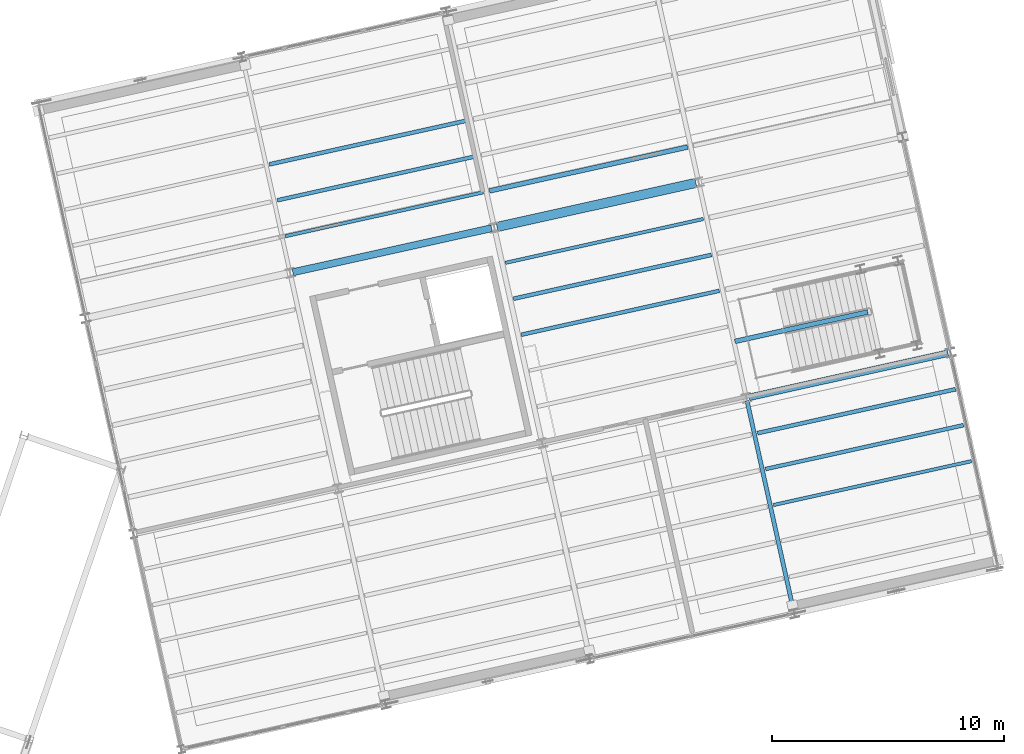
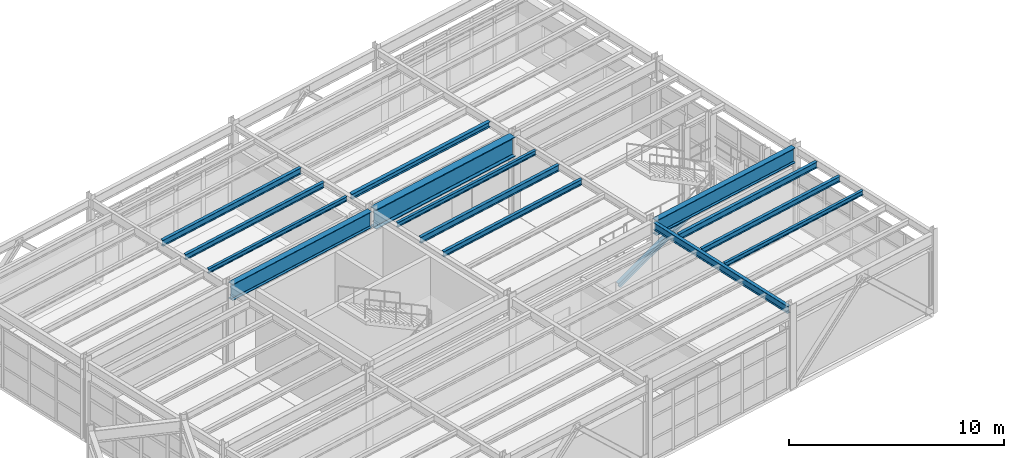
# One storey, part 60 of 109: 14 beams, 1 member.
"""IFC4 building model written with IfcOpenShell, lengths in metres."""

from ifc_helpers import new_model, si_unit, direction, frame, origin, origin_2d, place, context, subcontext, project, spatial, i_section, extrude, material, material_profile, profile_set, type_object, element, save


model = new_model("IFC4")

# Units and contexts
model_context = context("Model", 3, precision=1e-05, world=origin(), true_north=direction((0.0, 1.0)))
body_context = subcontext(model_context, "Body", "Model", "MODEL_VIEW")
ifc_project = project(units=[si_unit("LENGTHUNIT", "METRE"), si_unit("AREAUNIT", "SQUARE_METRE"), si_unit("VOLUMEUNIT", "CUBIC_METRE"), si_unit("PLANEANGLEUNIT", "RADIAN"), si_unit("MASSUNIT", "GRAM", prefix="KILO")], contexts=[model_context])

# Site, building, storey
site_placement = place(None, origin())
site = spatial("IfcSite", under=ifc_project, at=site_placement, CompositionType="ELEMENT")
building_placement = place(site_placement, origin())
building = spatial("IfcBuilding", under=site, at=building_placement, Name="Vireo Bluff Cable Station", CompositionType="ELEMENT")
storey_placement = place(building_placement, frame((0.0, 0.0, 4.800048828125)))
storey = spatial("IfcBuildingStorey", under=building, at=storey_placement, Name="L01", CompositionType="ELEMENT", Elevation=4.800048828125)

# Beams
ifc_material = material(Name="Steel ASTM A992 Gr. 50", Category="steel")
ifc_material_profile_1 = material_profile(ifc_material, i_section(OverallWidth=0.178955078125, OverallDepth=0.408935546875, WebThickness=0.0087890625, FlangeThickness=0.014404296875, FilletRadius=0.010009765625, at=origin_2d()), Name="W16X45")
ifc_profile_set_1 = profile_set([ifc_material_profile_1], Name="Steel ASTM A992 Gr. 50")
beam_type_1 = type_object("IfcBeamType", Name="BM-W16X45", PredefinedType="BEAM", material=ifc_profile_set_1)
beam_1_placement = place(storey_placement, frame((152.333984375, 79.9609375, 4.33544921875), z_axis=(-0.216430734067, 0.976297975698, 0.0), x_axis=(-0.976297975698, -0.216430734067, 0.0)))
element("IfcBeam", 1, at=beam_1_placement, inside=storey, type_object=beam_type_1, Name="V2 L01 beam 465", PredefinedType="BEAM", context=body_context, shape_type="SweptSolid", body=[
    extrude(i_section(OverallWidth=0.178955078125, OverallDepth=0.408935546875, WebThickness=0.0087890625, FlangeThickness=0.014404296875, FilletRadius=0.010009765625, at=origin_2d()), origin(), (0.0, 0.0, 1.0), 9.260009765625),
])
ifc_material_profile_2 = material_profile(ifc_material, i_section(OverallWidth=0.2919921875, OverallDepth=0.85888671875, WebThickness=0.01708984375, FlangeThickness=0.031005859375, FilletRadius=0.01806640625, at=origin_2d()), Name="W33X169")
ifc_profile_set_2 = profile_set([ifc_material_profile_2], Name="Steel ASTM A992 Gr. 50")
beam_type_2 = type_object("IfcBeamType", Name="GIR-W33X169", PredefinedType="USERDEFINED", material=ifc_profile_set_2)
beam_2_placement = place(storey_placement, frame((150.4208984375, 89.144775390625, 4.1103515625), z_axis=(0.97629710087, 0.216434680293, 0.0), x_axis=(-0.216434680293, 0.97629710087, 0.0)))
element("IfcBeam", 2, at=beam_2_placement, inside=storey, type_object=beam_type_2, Name="V2 L01 girder 447", ObjectType="GIRDER", PredefinedType="USERDEFINED", context=body_context, shape_type="SweptSolid", body=[
    extrude(i_section(OverallWidth=0.2919921875, OverallDepth=0.85888671875, WebThickness=0.01708984375, FlangeThickness=0.031005859375, FilletRadius=0.01806640625, at=origin_2d()), origin(), (0.0, 0.0, 1.0), 8.760009765625),
])
ifc_material_profile_3 = material_profile(ifc_material, i_section(OverallWidth=0.306884765625, OverallDepth=0.927001953125, WebThickness=0.019287109375, FlangeThickness=0.031982421875, FilletRadius=0.02001953125, at=origin_2d()), Name="W36X194")
ifc_profile_set_3 = profile_set([ifc_material_profile_3], Name="Steel ASTM A992 Gr. 50")
beam_type_3 = type_object("IfcBeamType", Name="GIR-W36X194", PredefinedType="USERDEFINED", material=ifc_profile_set_3)
beam_3_placement = place(storey_placement, frame((130.79150390625, 94.5234375, 4.076416015625), z_axis=(0.976289905703, 0.216467133817, 0.0), x_axis=(-0.216467133817, 0.976289905703, 0.0)))
element("IfcBeam", 3, at=beam_3_placement, inside=storey, type_object=beam_type_3, Name="V2 L01 girder 449", ObjectType="GIRDER", PredefinedType="USERDEFINED", context=body_context, shape_type="SweptSolid", body=[
    extrude(i_section(OverallWidth=0.306884765625, OverallDepth=0.927001953125, WebThickness=0.019287109375, FlangeThickness=0.031982421875, FilletRadius=0.02001953125, at=origin_2d()), origin(), (0.0, 0.0, 1.0), 8.760009765625),
])
ifc_material_profile_4 = material_profile(ifc_material, i_section(OverallWidth=0.404052734375, OverallDepth=1.117919921875, WebThickness=0.026123046875, FlangeThickness=0.044921875, FilletRadius=0.02197265625, at=origin_2d()), Name="W44X335")
ifc_profile_set_4 = profile_set([ifc_material_profile_4], Name="Steel ASTM A992 Gr. 50")
beam_type_4 = type_object("IfcBeamType", Name="GIR-W44X335", PredefinedType="USERDEFINED", material=ifc_profile_set_4)
beam_4_placement = place(storey_placement, frame((139.578125, 96.471435546875, 3.98095703125), z_axis=(0.976295795297, 0.216440569406, 0.0), x_axis=(-0.216440569406, 0.976295795297, 0.0)))
element("IfcBeam", 4, at=beam_4_placement, inside=storey, type_object=beam_type_4, Name="V2 L01 girder 450", ObjectType="GIRDER", PredefinedType="USERDEFINED", context=body_context, shape_type="SweptSolid", body=[
    extrude(i_section(OverallWidth=0.404052734375, OverallDepth=1.117919921875, WebThickness=0.026123046875, FlangeThickness=0.044921875, FilletRadius=0.02197265625, at=origin_2d()), origin(), (0.0, 0.0, 1.0), 8.760009765625),
])
ifc_material_profile_5 = material_profile(ifc_material, i_section(OverallWidth=0.14599609375, OverallDepth=0.259033203125, WebThickness=0.006103515625, FlangeThickness=0.009033203125, FilletRadius=0.009033203125, at=origin_2d()), Name="W10X22")
ifc_profile_set_5 = profile_set([ifc_material_profile_5], Name="Steel ASTM A992 Gr. 50")
beam_type_5 = type_object("IfcBeamType", Name="JST-W10X22", PredefinedType="JOIST", material=ifc_profile_set_5)
for number, where, z_axis, x_axis, name in (
    (5, (130.46826171875, 96.07373046875, 4.410400390625), (0.976300234484, 0.216420544652, 0.0), (-0.216420544652, 0.976300234484, 0.0), "V2 L01 composite joist 491"),
    (6, (139.9404296875, 94.929931640625, 4.410400390625), (0.976293006815, 0.216453146994, 0.0), (-0.216453146994, 0.976293006815, 0.0), "V2 L01 composite joist 505"),
):
    element("IfcBeam", number, at=place(storey_placement, frame(where, z_axis=z_axis, x_axis=x_axis)), inside=storey, type_object=beam_type_5, Name=name, PredefinedType="JOIST", context=body_context, shape_type="SweptSolid", body=[
        extrude(i_section(OverallWidth=0.14599609375, OverallDepth=0.259033203125, WebThickness=0.006103515625, FlangeThickness=0.009033203125, FilletRadius=0.009033203125, at=origin_2d()), origin(), (0.0, 0.0, 1.0), 8.719970703125),
    ])
beam_5_placement = place(storey_placement, frame((151.468505859375, 84.511474609375, 4.410400390625), z_axis=(0.976294318526, 0.216447230551, 0.0), x_axis=(-0.216447230551, 0.976294318526, 0.0)))
element("IfcBeam", 7, at=beam_5_placement, inside=storey, type_object=beam_type_5, Name="V2 L01 composite joist 513", PredefinedType="JOIST", context=body_context, shape_type="SweptSolid", body=[
    extrude(i_section(OverallWidth=0.14599609375, OverallDepth=0.259033203125, WebThickness=0.006103515625, FlangeThickness=0.009033203125, FilletRadius=0.009033203125, at=origin_2d()), origin(), (0.0, 0.0, 1.0), 8.72021484375),
])
ifc_material_profile_6 = material_profile(ifc_material, i_section(OverallWidth=0.1650390625, OverallDepth=0.31005859375, WebThickness=0.005859375, FlangeThickness=0.009765625, FilletRadius=0.010009765625, at=origin_2d()), Name="W12X26")
ifc_profile_set_6 = profile_set([ifc_material_profile_6], Name="Steel ASTM A992 Gr. 50")
beam_type_6 = type_object("IfcBeamType", Name="JST-W12X26", PredefinedType="JOIST", material=ifc_profile_set_6)
for number, where, z_axis, x_axis, name in (
    (8, (130.12548828125, 97.619384765625, 4.385009765625), (0.976294318526, 0.216447230551, 0.0), (-0.216447230551, 0.976294318526, 0.0), "V2 L01 composite joist 492"),
    (9, (140.625732421875, 91.83837890625, 4.385009765625), (0.976294318526, 0.216447230551, 0.0), (-0.216447230551, 0.976294318526, 0.0), "V2 L01 composite joist 503"),
):
    element("IfcBeam", number, at=place(storey_placement, frame(where, z_axis=z_axis, x_axis=x_axis)), inside=storey, type_object=beam_type_6, Name=name, PredefinedType="JOIST", context=body_context, shape_type="SweptSolid", body=[
        extrude(i_section(OverallWidth=0.1650390625, OverallDepth=0.31005859375, WebThickness=0.005859375, FlangeThickness=0.009765625, FilletRadius=0.010009765625, at=origin_2d()), origin(), (0.0, 0.0, 1.0), 8.72021484375),
    ])
beam_6_placement = place(storey_placement, frame((151.1259765625, 86.057373046875, 4.385009765625), z_axis=(0.976293006815, 0.216453146994, 0.0), x_axis=(-0.216453146994, 0.976293006815, 0.0)))
element("IfcBeam", 10, at=beam_6_placement, inside=storey, type_object=beam_type_6, Name="V2 L01 composite joist 514", PredefinedType="JOIST", context=body_context, shape_type="SweptSolid", body=[
    extrude(i_section(OverallWidth=0.1650390625, OverallDepth=0.31005859375, WebThickness=0.005859375, FlangeThickness=0.009765625, FilletRadius=0.010009765625, at=origin_2d()), origin(), (0.0, 0.0, 1.0), 8.719970703125),
])
ifc_material_profile_7 = material_profile(ifc_material, i_section(OverallWidth=0.202880859375, OverallDepth=0.302978515625, WebThickness=0.007568359375, FlangeThickness=0.01318359375, FilletRadius=0.010009765625, at=origin_2d()), Name="W12X40")
ifc_profile_set_7 = profile_set([ifc_material_profile_7], Name="Steel ASTM A992 Gr. 50")
beam_type_7 = type_object("IfcBeamType", Name="JST-W12X40", PredefinedType="JOIST", material=ifc_profile_set_7)
beam_7_placement = place(storey_placement, frame((139.2548828125, 98.021728515625, 4.388427734375), z_axis=(0.976300234484, 0.216420544652, 0.0), x_axis=(-0.216420544652, 0.976300234484, 0.0)))
element("IfcBeam", 11, at=beam_7_placement, inside=storey, type_object=beam_type_7, Name="V2 L01 composite joist 506", PredefinedType="JOIST", context=body_context, shape_type="SweptSolid", body=[
    extrude(i_section(OverallWidth=0.202880859375, OverallDepth=0.302978515625, WebThickness=0.007568359375, FlangeThickness=0.01318359375, FilletRadius=0.010009765625, at=origin_2d()), origin(), (0.0, 0.0, 1.0), 8.719970703125),
])
ifc_material_profile_8 = material_profile(ifc_material, i_section(OverallWidth=0.1708984375, OverallDepth=0.35107421875, WebThickness=0.0068359375, FlangeThickness=0.009765625, FilletRadius=0.010009765625, at=origin_2d()), Name="W14X30")
ifc_profile_set_8 = profile_set([ifc_material_profile_8], Name="Steel ASTM A992 Gr. 50")
beam_type_8 = type_object("IfcBeamType", Name="JST-W14X30", PredefinedType="JOIST", material=ifc_profile_set_8)
for number, where, z_axis, x_axis, name in (
    (12, (129.782958984375, 99.165283203125, 4.364501953125), (0.976293006815, 0.216453146994, 0.0), (-0.216453146994, 0.976293006815, 0.0), "V2 L01 composite joist 493"),
    (13, (140.282958984375, 93.38427734375, 4.364501953125), (0.976300234484, 0.216420544652, 0.0), (-0.216420544652, 0.976300234484, 0.0), "V2 L01 composite joist 504"),
    (14, (150.783203125, 87.603271484375, 4.364501953125), (0.976298923088, 0.216426460438, 0.0), (-0.216426460438, 0.976298923088, 0.0), "V2 L01 composite joist 515"),
):
    element("IfcBeam", number, at=place(storey_placement, frame(where, z_axis=z_axis, x_axis=x_axis)), inside=storey, type_object=beam_type_8, Name=name, PredefinedType="JOIST", context=body_context, shape_type="SweptSolid", body=[
        extrude(i_section(OverallWidth=0.1708984375, OverallDepth=0.35107421875, WebThickness=0.0068359375, FlangeThickness=0.009765625, FilletRadius=0.010009765625, at=origin_2d()), origin(), (0.0, 0.0, 1.0), 8.719970703125),
    ])

# Member
ifc_material_profile_9 = material_profile(ifc_material, i_section(OverallWidth=0.202880859375, OverallDepth=0.302978515625, WebThickness=0.007568359375, FlangeThickness=0.01318359375, FilletRadius=0.010009765625, at=origin_2d()), Name="W12X40")
ifc_profile_set_9 = profile_set([ifc_material_profile_9], Name="Steel ASTM A992 Gr. 50")
member_type = type_object("IfcMemberType", Name="STRINGER-02", PredefinedType="STRINGER", material=ifc_profile_set_9)
member_placement = place(storey_placement, frame((149.86474609375, 91.5615234375, -0.43994140625), z_axis=(0.899693330922, 0.199453238754, 0.388291534604), x_axis=(-0.216435506976, 0.976296917602, 0.0)))
element("IfcMember", 15, at=member_placement, inside=storey, type_object=member_type, Name="ST-09 L01 steel stair stringer", PredefinedType="STRINGER", context=body_context, shape_type="SweptSolid", body=[
    extrude(i_section(OverallWidth=0.202880859375, OverallDepth=0.302978515625, WebThickness=0.007568359375, FlangeThickness=0.01318359375, FilletRadius=0.010009765625, at=origin_2d()), origin(), (0.0, 0.0, 1.0), 6.347900390625),
])

save(model, "model.ifc")
